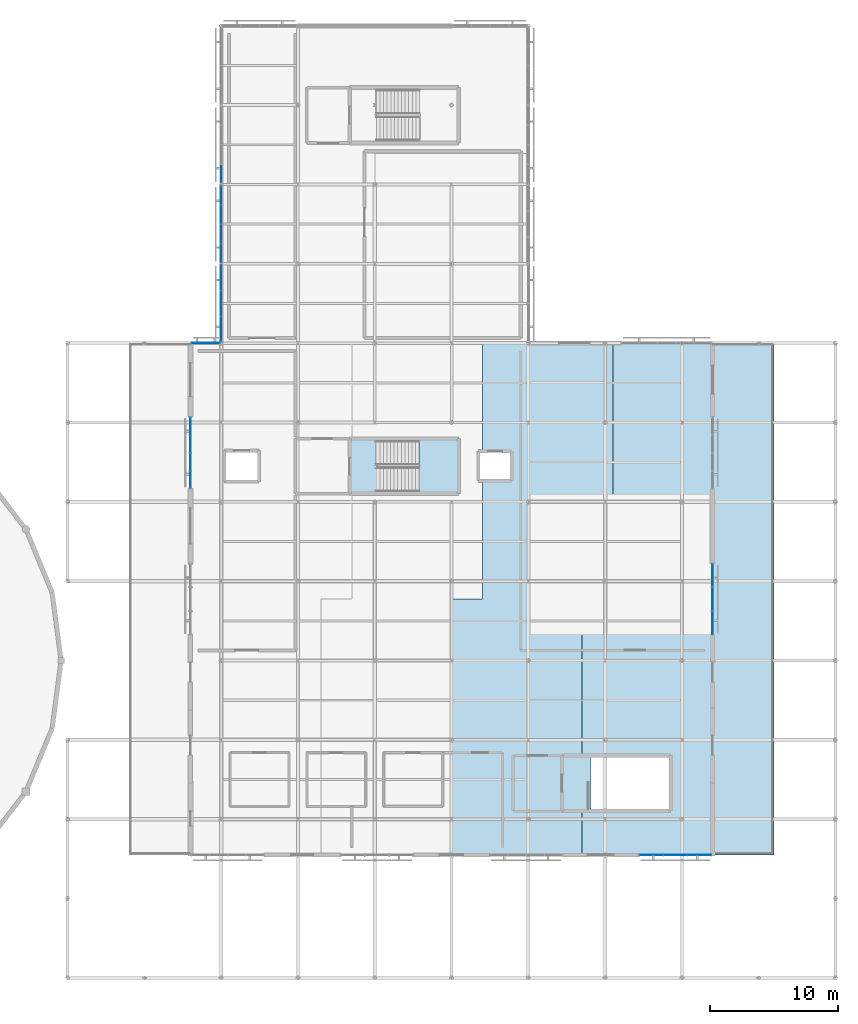
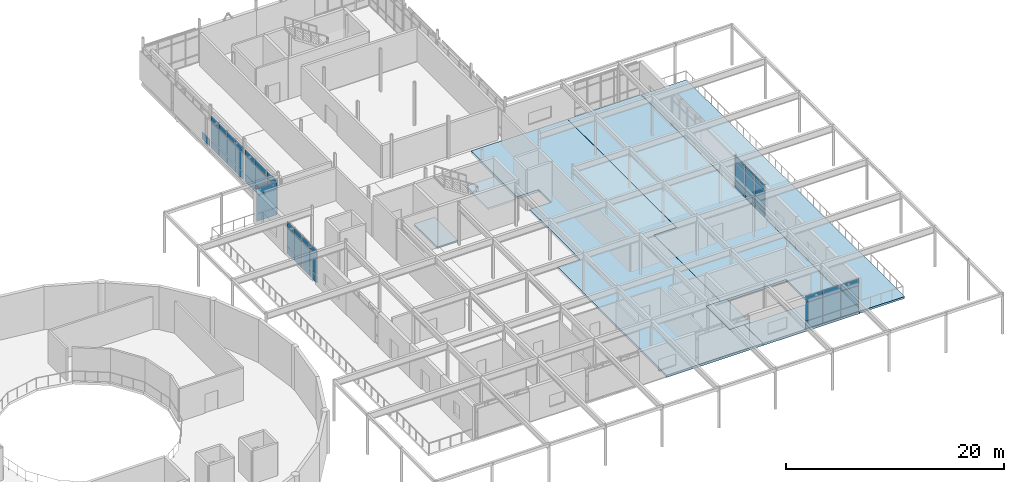
# One storey, part 37 of 48: 55 plates, 6 slabs, 8 elements without a shape of their own.
"""IFC4 building model written with IfcOpenShell, lengths in metres."""

from ifc_helpers import new_model, si_unit, direction, frame, origin, origin_2d, place, context, subcontext, project, spatial, polyline, rectangle, outline, extrude, material, layer, layer_set, type_object, element, aggregate, save


model = new_model("IFC4")

# Units and contexts
model_context = context("Model", 3, precision=1e-05, world=origin(), true_north=direction((0.0, 1.0)))
body_context = subcontext(model_context, "Body", "Model", "MODEL_VIEW")
ifc_project = project(units=[si_unit("LENGTHUNIT", "METRE"), si_unit("AREAUNIT", "SQUARE_METRE"), si_unit("VOLUMEUNIT", "CUBIC_METRE"), si_unit("PLANEANGLEUNIT", "RADIAN"), si_unit("MASSUNIT", "GRAM", prefix="KILO")], contexts=[model_context])

# Site, building, storey
site_placement = place(None, origin())
site = spatial("IfcSite", under=ifc_project, at=site_placement, CompositionType="ELEMENT")
building_placement = place(site_placement, origin())
building = spatial("IfcBuilding", under=site, at=building_placement, Name="Mirzam Square Science Centre", CompositionType="ELEMENT")
storey_placement = place(building_placement, frame((0.0, 0.0, 20.39990234375)))
storey = spatial("IfcBuildingStorey", under=building, at=storey_placement, Name="L04", CompositionType="ELEMENT", Elevation=20.39990234375)

# Curtain wall, plates
ifc_material_1 = material(Name="Anodised Aluminium and Low-E Solar Glass", Category="aluminium")
ifc_layer_1 = layer(ifc_material_1, 0.159912109375)
ifc_layer_set_1 = layer_set([ifc_layer_1], Name="CW-COURT-B")
curtain_wall_type_1 = type_object("IfcCurtainWallType", Name="CW-COURT-B", PredefinedType="USERDEFINED", material=ifc_layer_set_1)
curtain_wall_1_placement = place(storey_placement, origin())
curtain_wall_1 = element("IfcCurtainWall", 1, at=curtain_wall_1_placement, inside=storey, type_object=curtain_wall_type_1, Name="L04 unitised curtain wall 153", ObjectType="UNITISED CURTAIN WALL", PredefinedType="USERDEFINED")
ifc_material_2 = material(Name="Ceramic-Fritted Courtyard Solar Glass", Category="glass")
ifc_layer_2 = layer(ifc_material_2, 0.02392578125)
ifc_layer_set_2 = layer_set([ifc_layer_2], Name="CWP-GLZ-24")
plate_type_1 = type_object("IfcPlateType", Name="CWP-GLZ-24", PredefinedType="CURTAIN_PANEL", material=ifc_layer_set_2)
plate_1_placement = place(storey_placement, frame((112.800048828125, 86.800048828125, 0.06005859375), z_axis=(0.0, 0.0, 1.0), x_axis=(-1.0, 0.0, 0.0)))
plate_1 = element("IfcPlate", 2, at=plate_1_placement, type_object=plate_type_1, Name="CW-04 panel 1.1", PredefinedType="CURTAIN_PANEL", context=body_context, shape_type="SweptSolid", body=[
    extrude(rectangle(XDim=2.169921875, YDim=0.02392578125, at=origin_2d()), origin(), (0.0, 0.0, 1.0), 0.81005859375),
])
plate_2_placement = place(storey_placement, frame((112.800048828125, 86.800048828125, 0.93017578125), z_axis=(0.0, 0.0, 1.0), x_axis=(-1.0, 0.0, 0.0)))
plate_2 = element("IfcPlate", 3, at=plate_2_placement, type_object=plate_type_1, Name="CW-04 panel 1.2", PredefinedType="CURTAIN_PANEL", context=body_context, shape_type="SweptSolid", body=[
    extrude(rectangle(XDim=2.169921875, YDim=0.02392578125, at=origin_2d()), origin(), (0.0, 0.0, 1.0), 2.0),
])
plate_3_placement = place(storey_placement, frame((112.800048828125, 86.800048828125, 2.990234375), z_axis=(0.0, 0.0, 1.0), x_axis=(-1.0, 0.0, 0.0)))
plate_3 = element("IfcPlate", 4, at=plate_3_placement, type_object=plate_type_1, Name="CW-04 panel 1.3", PredefinedType="CURTAIN_PANEL", context=body_context, shape_type="SweptSolid", body=[
    extrude(rectangle(XDim=2.169921875, YDim=0.02392578125, at=origin_2d()), origin(), (0.0, 0.0, 1.0), 0.7099609375),
])
aggregate(curtain_wall_1, [plate_1, plate_2, plate_3])

curtain_wall_2_placement = place(storey_placement, origin())
curtain_wall_2 = element("IfcCurtainWall", 5, at=curtain_wall_2_placement, inside=storey, type_object=curtain_wall_type_1, Name="L04 unitised curtain wall 154", ObjectType="UNITISED CURTAIN WALL", PredefinedType="USERDEFINED")
plate_4_placement = place(storey_placement, frame((111.60009765625, 80.315185546875, 0.06005859375), z_axis=(0.0, 0.0, 1.0), x_axis=(0.0, -1.0, 0.0)))
plate_4 = element("IfcPlate", 6, at=plate_4_placement, type_object=plate_type_1, Name="CW-04 panel 1.1", PredefinedType="CURTAIN_PANEL", context=body_context, shape_type="SweptSolid", body=[
    extrude(rectangle(XDim=1.31103515625, YDim=0.02392578125, at=origin_2d()), origin(), (0.0, 0.0, 1.0), 0.81005859375),
])
plate_5_placement = place(storey_placement, frame((111.60009765625, 80.315185546875, 0.93017578125), z_axis=(0.0, 0.0, 1.0), x_axis=(0.0, -1.0, 0.0)))
plate_5 = element("IfcPlate", 7, at=plate_5_placement, type_object=plate_type_1, Name="CW-04 panel 1.2", PredefinedType="CURTAIN_PANEL", context=body_context, shape_type="SweptSolid", body=[
    extrude(rectangle(XDim=1.31103515625, YDim=0.02392578125, at=origin_2d()), origin(), (0.0, 0.0, 1.0), 2.0),
])
plate_6_placement = place(storey_placement, frame((111.60009765625, 80.315185546875, 2.990234375), z_axis=(0.0, 0.0, 1.0), x_axis=(0.0, -1.0, 0.0)))
plate_6 = element("IfcPlate", 8, at=plate_6_placement, type_object=plate_type_1, Name="CW-04 panel 1.3", PredefinedType="CURTAIN_PANEL", context=body_context, shape_type="SweptSolid", body=[
    extrude(rectangle(XDim=1.31103515625, YDim=0.02392578125, at=origin_2d()), origin(), (0.0, 0.0, 1.0), 0.7099609375),
])
plate_7_placement = place(storey_placement, frame((111.60009765625, 78.92919921875, 0.06005859375), z_axis=(0.0, 0.0, 1.0), x_axis=(0.0, -1.0, 0.0)))
plate_7 = element("IfcPlate", 9, at=plate_7_placement, type_object=plate_type_1, Name="CW-04 panel 2.1", PredefinedType="CURTAIN_PANEL", context=body_context, shape_type="SweptSolid", body=[
    extrude(rectangle(XDim=1.341064453125, YDim=0.02392578125, at=origin_2d()), origin(), (0.0, 0.0, 1.0), 0.81005859375),
])
plate_8_placement = place(storey_placement, frame((111.60009765625, 78.92919921875, 0.93017578125), z_axis=(0.0, 0.0, 1.0), x_axis=(0.0, -1.0, 0.0)))
plate_8 = element("IfcPlate", 10, at=plate_8_placement, type_object=plate_type_1, Name="CW-04 panel 2.2", PredefinedType="CURTAIN_PANEL", context=body_context, shape_type="SweptSolid", body=[
    extrude(rectangle(XDim=1.341064453125, YDim=0.02392578125, at=origin_2d()), origin(), (0.0, 0.0, 1.0), 2.0),
])
plate_9_placement = place(storey_placement, frame((111.60009765625, 78.92919921875, 2.990234375), z_axis=(0.0, 0.0, 1.0), x_axis=(0.0, -1.0, 0.0)))
plate_9 = element("IfcPlate", 11, at=plate_9_placement, type_object=plate_type_1, Name="CW-04 panel 2.3", PredefinedType="CURTAIN_PANEL", context=body_context, shape_type="SweptSolid", body=[
    extrude(rectangle(XDim=1.341064453125, YDim=0.02392578125, at=origin_2d()), origin(), (0.0, 0.0, 1.0), 0.7099609375),
])
plate_10_placement = place(storey_placement, frame((111.60009765625, 77.528076171875, 0.06005859375), z_axis=(0.0, 0.0, 1.0), x_axis=(0.0, -1.0, 0.0)))
plate_10 = element("IfcPlate", 12, at=plate_10_placement, type_object=plate_type_1, Name="CW-04 panel 3.1", PredefinedType="CURTAIN_PANEL", context=body_context, shape_type="SweptSolid", body=[
    extrude(rectangle(XDim=1.341064453125, YDim=0.02392578125, at=origin_2d()), origin(), (0.0, 0.0, 1.0), 0.81005859375),
])
plate_11_placement = place(storey_placement, frame((111.60009765625, 77.528076171875, 0.93017578125), z_axis=(0.0, 0.0, 1.0), x_axis=(0.0, -1.0, 0.0)))
plate_11 = element("IfcPlate", 13, at=plate_11_placement, type_object=plate_type_1, Name="CW-04 panel 3.2", PredefinedType="CURTAIN_PANEL", context=body_context, shape_type="SweptSolid", body=[
    extrude(rectangle(XDim=1.341064453125, YDim=0.02392578125, at=origin_2d()), origin(), (0.0, 0.0, 1.0), 2.0),
])
plate_12_placement = place(storey_placement, frame((111.60009765625, 77.528076171875, 2.990234375), z_axis=(0.0, 0.0, 1.0), x_axis=(0.0, -1.0, 0.0)))
plate_12 = element("IfcPlate", 14, at=plate_12_placement, type_object=plate_type_1, Name="CW-04 panel 3.3", PredefinedType="CURTAIN_PANEL", context=body_context, shape_type="SweptSolid", body=[
    extrude(rectangle(XDim=1.341064453125, YDim=0.02392578125, at=origin_2d()), origin(), (0.0, 0.0, 1.0), 0.7099609375),
])
plate_13_placement = place(storey_placement, frame((111.60009765625, 76.141845703125, 0.06005859375), z_axis=(0.0, 0.0, 1.0), x_axis=(0.0, -1.0, 0.0)))
plate_13 = element("IfcPlate", 15, at=plate_13_placement, type_object=plate_type_1, Name="CW-04 panel 4.1", PredefinedType="CURTAIN_PANEL", context=body_context, shape_type="SweptSolid", body=[
    extrude(rectangle(XDim=1.31103515625, YDim=0.02392578125, at=origin_2d()), origin(), (0.0, 0.0, 1.0), 0.81005859375),
])
plate_14_placement = place(storey_placement, frame((111.60009765625, 76.141845703125, 0.93017578125), z_axis=(0.0, 0.0, 1.0), x_axis=(0.0, -1.0, 0.0)))
plate_14 = element("IfcPlate", 16, at=plate_14_placement, type_object=plate_type_1, Name="CW-04 panel 4.2", PredefinedType="CURTAIN_PANEL", context=body_context, shape_type="SweptSolid", body=[
    extrude(rectangle(XDim=1.31103515625, YDim=0.02392578125, at=origin_2d()), origin(), (0.0, 0.0, 1.0), 2.0),
])
plate_15_placement = place(storey_placement, frame((111.60009765625, 76.141845703125, 2.990234375), z_axis=(0.0, 0.0, 1.0), x_axis=(0.0, -1.0, 0.0)))
plate_15 = element("IfcPlate", 17, at=plate_15_placement, type_object=plate_type_1, Name="CW-04 panel 4.3", PredefinedType="CURTAIN_PANEL", context=body_context, shape_type="SweptSolid", body=[
    extrude(rectangle(XDim=1.31103515625, YDim=0.02392578125, at=origin_2d()), origin(), (0.0, 0.0, 1.0), 0.7099609375),
])
aggregate(curtain_wall_2, [plate_4, plate_5, plate_6, plate_7, plate_8, plate_9, plate_10, plate_11, plate_12, plate_13, plate_14, plate_15])

# Curtain wall, plate
curtain_wall_3_placement = place(storey_placement, origin())
curtain_wall_3 = element("IfcCurtainWall", 18, at=curtain_wall_3_placement, inside=storey, type_object=curtain_wall_type_1, Name="L04 unitised curtain wall 162", ObjectType="UNITISED CURTAIN WALL", PredefinedType="USERDEFINED")
plate_16_placement = place(storey_placement, frame((114.0, 100.03125, 0.06005859375), z_axis=(0.0, 0.0, 1.0), x_axis=(0.0, -1.0, 0.0)))
plate_16 = element("IfcPlate", 19, at=plate_16_placement, type_object=plate_type_1, Name="CW-04 panel 4.1", PredefinedType="CURTAIN_PANEL", context=body_context, shape_type="SweptSolid", body=[
    extrude(rectangle(XDim=1.4326171875, YDim=0.02392578125, at=origin_2d()), origin(), (0.0, 0.0, 1.0), 0.81005859375),
])
aggregate(curtain_wall_3, [plate_16])

# Curtain wall, plates
ifc_layer_3 = layer(ifc_material_1, 0.239990234375)
ifc_layer_set_3 = layer_set([ifc_layer_3], Name="CW-EAST-B")
curtain_wall_type_2 = type_object("IfcCurtainWallType", Name="CW-EAST-B", PredefinedType="USERDEFINED", material=ifc_layer_set_3)
curtain_wall_4_placement = place(storey_placement, origin())
curtain_wall_4 = element("IfcCurtainWall", 20, at=curtain_wall_4_placement, inside=storey, type_object=curtain_wall_type_2, Name="L04 unitised curtain wall 150", ObjectType="UNITISED CURTAIN WALL", PredefinedType="USERDEFINED")
ifc_material_3 = material(Name="Double-Silver Low-E Insulated Solar Glass", Category="glass")
ifc_layer_4 = layer(ifc_material_3, 0.028076171875)
ifc_layer_set_4 = layer_set([ifc_layer_4], Name="CWP-GLZ-28")
plate_type_2 = type_object("IfcPlateType", Name="CWP-GLZ-28", PredefinedType="CURTAIN_PANEL", material=ifc_layer_set_4)
plate_17_placement = place(storey_placement, frame((152.39990234375, 64.95068359375, 0.074951171875), z_axis=(0.0, 0.0, 1.0), x_axis=(0.0, 1.0, 0.0)))
plate_17 = element("IfcPlate", 21, at=plate_17_placement, type_object=plate_type_2, Name="CW-06 panel 1.1", PredefinedType="CURTAIN_PANEL", context=body_context, shape_type="SweptSolid", body=[
    extrude(rectangle(XDim=1.755615234375, YDim=0.028076171875, at=origin_2d()), origin(), (0.0, 0.0, 1.0), 0.78759765625),
])
plate_18_placement = place(storey_placement, frame((152.39990234375, 64.95068359375, 0.9375), z_axis=(0.0, 0.0, 1.0), x_axis=(0.0, 1.0, 0.0)))
plate_18 = element("IfcPlate", 22, at=plate_18_placement, type_object=plate_type_2, Name="CW-06 panel 1.2", PredefinedType="CURTAIN_PANEL", context=body_context, shape_type="SweptSolid", body=[
    extrude(rectangle(XDim=1.755615234375, YDim=0.028076171875, at=origin_2d()), origin(), (0.0, 0.0, 1.0), 1.985107421875),
])
plate_19_placement = place(storey_placement, frame((152.39990234375, 64.95068359375, 2.99755859375), z_axis=(0.0, 0.0, 1.0), x_axis=(0.0, 1.0, 0.0)))
plate_19 = element("IfcPlate", 23, at=plate_19_placement, type_object=plate_type_2, Name="CW-06 panel 1.3", PredefinedType="CURTAIN_PANEL", context=body_context, shape_type="SweptSolid", body=[
    extrude(rectangle(XDim=1.755615234375, YDim=0.028076171875, at=origin_2d()), origin(), (0.0, 0.0, 1.0), 0.6875),
])
plate_20_placement = place(storey_placement, frame((152.39990234375, 66.800048828125, 0.074951171875), z_axis=(0.0, 0.0, 1.0), x_axis=(0.0, 1.0, 0.0)))
plate_20 = element("IfcPlate", 24, at=plate_20_placement, type_object=plate_type_2, Name="CW-06 panel 2.1", PredefinedType="CURTAIN_PANEL", context=body_context, shape_type="SweptSolid", body=[
    extrude(rectangle(XDim=1.79296875, YDim=0.028076171875, at=origin_2d()), origin(), (0.0, 0.0, 1.0), 0.78759765625),
])
plate_21_placement = place(storey_placement, frame((152.39990234375, 66.800048828125, 0.9375), z_axis=(0.0, 0.0, 1.0), x_axis=(0.0, 1.0, 0.0)))
plate_21 = element("IfcPlate", 25, at=plate_21_placement, type_object=plate_type_2, Name="CW-06 panel 2.2", PredefinedType="CURTAIN_PANEL", context=body_context, shape_type="SweptSolid", body=[
    extrude(rectangle(XDim=1.79296875, YDim=0.028076171875, at=origin_2d()), origin(), (0.0, 0.0, 1.0), 1.985107421875),
])
plate_22_placement = place(storey_placement, frame((152.39990234375, 66.800048828125, 2.99755859375), z_axis=(0.0, 0.0, 1.0), x_axis=(0.0, 1.0, 0.0)))
plate_22 = element("IfcPlate", 26, at=plate_22_placement, type_object=plate_type_2, Name="CW-06 panel 2.3", PredefinedType="CURTAIN_PANEL", context=body_context, shape_type="SweptSolid", body=[
    extrude(rectangle(XDim=1.79296875, YDim=0.028076171875, at=origin_2d()), origin(), (0.0, 0.0, 1.0), 0.6875),
])
plate_23_placement = place(storey_placement, frame((152.39990234375, 68.6494140625, 0.074951171875), z_axis=(0.0, 0.0, 1.0), x_axis=(0.0, 1.0, 0.0)))
plate_23 = element("IfcPlate", 27, at=plate_23_placement, type_object=plate_type_2, Name="CW-06 panel 3.1", PredefinedType="CURTAIN_PANEL", context=body_context, shape_type="SweptSolid", body=[
    extrude(rectangle(XDim=1.755615234375, YDim=0.028076171875, at=origin_2d()), origin(), (0.0, 0.0, 1.0), 0.78759765625),
])
plate_24_placement = place(storey_placement, frame((152.39990234375, 68.6494140625, 0.9375), z_axis=(0.0, 0.0, 1.0), x_axis=(0.0, 1.0, 0.0)))
plate_24 = element("IfcPlate", 28, at=plate_24_placement, type_object=plate_type_2, Name="CW-06 panel 3.2", PredefinedType="CURTAIN_PANEL", context=body_context, shape_type="SweptSolid", body=[
    extrude(rectangle(XDim=1.755615234375, YDim=0.028076171875, at=origin_2d()), origin(), (0.0, 0.0, 1.0), 1.985107421875),
])
plate_25_placement = place(storey_placement, frame((152.39990234375, 68.6494140625, 2.99755859375), z_axis=(0.0, 0.0, 1.0), x_axis=(0.0, 1.0, 0.0)))
plate_25 = element("IfcPlate", 29, at=plate_25_placement, type_object=plate_type_2, Name="CW-06 panel 3.3", PredefinedType="CURTAIN_PANEL", context=body_context, shape_type="SweptSolid", body=[
    extrude(rectangle(XDim=1.755615234375, YDim=0.028076171875, at=origin_2d()), origin(), (0.0, 0.0, 1.0), 0.6875),
])
aggregate(curtain_wall_4, [plate_17, plate_18, plate_19, plate_20, plate_21, plate_22, plate_23, plate_24, plate_25])

ifc_layer_5 = layer(ifc_material_1, 0.199951171875)
ifc_layer_set_5 = layer_set([ifc_layer_5], Name="CW-PARK-B")
curtain_wall_type_3 = type_object("IfcCurtainWallType", Name="CW-PARK-B", PredefinedType="USERDEFINED", material=ifc_layer_set_5)
curtain_wall_5_placement = place(storey_placement, origin())
curtain_wall_5 = element("IfcCurtainWall", 30, at=curtain_wall_5_placement, inside=storey, type_object=curtain_wall_type_3, Name="L04 unitised curtain wall 158", ObjectType="UNITISED CURTAIN WALL", PredefinedType="USERDEFINED")
ifc_material_4 = material(Name="Triple-Glazed Acoustic Low-E Solar Glass", Category="glass")
ifc_layer_6 = layer(ifc_material_4, 0.031982421875)
ifc_layer_set_6 = layer_set([ifc_layer_6], Name="CWP-GLZ-32")
plate_type_3 = type_object("IfcPlateType", Name="CWP-GLZ-32", PredefinedType="CURTAIN_PANEL", material=ifc_layer_set_6)
plate_26_placement = place(storey_placement, frame((114.0, 91.913818359375, 0.06494140625), z_axis=(0.0, 0.0, 1.0), x_axis=(0.0, -1.0, 0.0)))
plate_26 = element("IfcPlate", 31, at=plate_26_placement, type_object=plate_type_3, Name="CW-02 panel 1.1", PredefinedType="CURTAIN_PANEL", context=body_context, shape_type="SweptSolid", body=[
    extrude(rectangle(XDim=1.9326171875, YDim=0.031982421875, at=origin_2d()), origin(), (0.0, 0.0, 1.0), 0.802490234375),
])
plate_27_placement = place(storey_placement, frame((114.0, 91.913818359375, 0.9326171875), z_axis=(0.0, 0.0, 1.0), x_axis=(0.0, -1.0, 0.0)))
plate_27 = element("IfcPlate", 32, at=plate_27_placement, type_object=plate_type_3, Name="CW-02 panel 1.2", PredefinedType="CURTAIN_PANEL", context=body_context, shape_type="SweptSolid", body=[
    extrude(rectangle(XDim=1.9326171875, YDim=0.031982421875, at=origin_2d()), origin(), (0.0, 0.0, 1.0), 1.9951171875),
])
plate_28_placement = place(storey_placement, frame((114.0, 91.913818359375, 2.99267578125), z_axis=(0.0, 0.0, 1.0), x_axis=(0.0, -1.0, 0.0)))
plate_28 = element("IfcPlate", 33, at=plate_28_placement, type_object=plate_type_3, Name="CW-02 panel 1.3", PredefinedType="CURTAIN_PANEL", context=body_context, shape_type="SweptSolid", body=[
    extrude(rectangle(XDim=1.9326171875, YDim=0.031982421875, at=origin_2d()), origin(), (0.0, 0.0, 1.0), 0.702392578125),
])
plate_29_placement = place(storey_placement, frame((114.0, 89.89990234375, 0.06494140625), z_axis=(0.0, 0.0, 1.0), x_axis=(0.0, -1.0, 0.0)))
plate_29 = element("IfcPlate", 34, at=plate_29_placement, type_object=plate_type_3, Name="CW-02 panel 2.1", PredefinedType="CURTAIN_PANEL", context=body_context, shape_type="SweptSolid", body=[
    extrude(rectangle(XDim=1.965087890625, YDim=0.031982421875, at=origin_2d()), origin(), (0.0, 0.0, 1.0), 0.802490234375),
])
plate_30_placement = place(storey_placement, frame((114.0, 89.89990234375, 0.9326171875), z_axis=(0.0, 0.0, 1.0), x_axis=(0.0, -1.0, 0.0)))
plate_30 = element("IfcPlate", 35, at=plate_30_placement, type_object=plate_type_3, Name="CW-02 panel 2.2", PredefinedType="CURTAIN_PANEL", context=body_context, shape_type="SweptSolid", body=[
    extrude(rectangle(XDim=1.965087890625, YDim=0.031982421875, at=origin_2d()), origin(), (0.0, 0.0, 1.0), 1.9951171875),
])
plate_31_placement = place(storey_placement, frame((114.0, 89.89990234375, 2.99267578125), z_axis=(0.0, 0.0, 1.0), x_axis=(0.0, -1.0, 0.0)))
plate_31 = element("IfcPlate", 36, at=plate_31_placement, type_object=plate_type_3, Name="CW-02 panel 2.3", PredefinedType="CURTAIN_PANEL", context=body_context, shape_type="SweptSolid", body=[
    extrude(rectangle(XDim=1.965087890625, YDim=0.031982421875, at=origin_2d()), origin(), (0.0, 0.0, 1.0), 0.702392578125),
])
plate_32_placement = place(storey_placement, frame((114.0, 87.88623046875, 0.06494140625), z_axis=(0.0, 0.0, 1.0), x_axis=(0.0, -1.0, 0.0)))
plate_32 = element("IfcPlate", 37, at=plate_32_placement, type_object=plate_type_3, Name="CW-02 panel 3.1", PredefinedType="CURTAIN_PANEL", context=body_context, shape_type="SweptSolid", body=[
    extrude(rectangle(XDim=1.9326171875, YDim=0.031982421875, at=origin_2d()), origin(), (0.0, 0.0, 1.0), 0.802490234375),
])
plate_33_placement = place(storey_placement, frame((114.0, 87.88623046875, 0.9326171875), z_axis=(0.0, 0.0, 1.0), x_axis=(0.0, -1.0, 0.0)))
plate_33 = element("IfcPlate", 38, at=plate_33_placement, type_object=plate_type_3, Name="CW-02 panel 3.2", PredefinedType="CURTAIN_PANEL", context=body_context, shape_type="SweptSolid", body=[
    extrude(rectangle(XDim=1.9326171875, YDim=0.031982421875, at=origin_2d()), origin(), (0.0, 0.0, 1.0), 1.9951171875),
])
plate_34_placement = place(storey_placement, frame((114.0, 87.88623046875, 2.99267578125), z_axis=(0.0, 0.0, 1.0), x_axis=(0.0, -1.0, 0.0)))
plate_34 = element("IfcPlate", 39, at=plate_34_placement, type_object=plate_type_3, Name="CW-02 panel 3.3", PredefinedType="CURTAIN_PANEL", context=body_context, shape_type="SweptSolid", body=[
    extrude(rectangle(XDim=1.9326171875, YDim=0.031982421875, at=origin_2d()), origin(), (0.0, 0.0, 1.0), 0.702392578125),
])
aggregate(curtain_wall_5, [plate_26, plate_27, plate_28, plate_29, plate_30, plate_31, plate_32, plate_33, plate_34])

ifc_layer_7 = layer(ifc_material_1, 0.159912109375)
ifc_layer_set_7 = layer_set([ifc_layer_7], Name="CW-COURT-A")
curtain_wall_type_4 = type_object("IfcCurtainWallType", Name="CW-COURT-A", PredefinedType="USERDEFINED", material=ifc_layer_set_7)
curtain_wall_6_placement = place(storey_placement, origin())
curtain_wall_6 = element("IfcCurtainWall", 40, at=curtain_wall_6_placement, inside=storey, type_object=curtain_wall_type_4, Name="L04 unitised curtain wall 160", ObjectType="UNITISED CURTAIN WALL", PredefinedType="USERDEFINED")
ifc_material_5 = material(Name="Laminated Low-Iron Observatory Solar Glass", Category="glass")
ifc_layer_8 = layer(ifc_material_5, 0.035888671875)
ifc_layer_set_8 = layer_set([ifc_layer_8], Name="CWP-GLZ-36")
plate_type_4 = type_object("IfcPlateType", Name="CWP-GLZ-36", PredefinedType="CURTAIN_PANEL", material=ifc_layer_set_8)
plate_35_placement = place(storey_placement, frame((114.0, 98.364990234375, 0.074951171875), z_axis=(0.0, 0.0, 1.0), x_axis=(0.0, -1.0, 0.0)))
plate_35 = element("IfcPlate", 41, at=plate_35_placement, type_object=plate_type_4, Name="CW-03 panel 1.1", PredefinedType="CURTAIN_PANEL", context=body_context, shape_type="SweptSolid", body=[
    extrude(rectangle(XDim=1.409912109375, YDim=0.035888671875, at=origin_2d()), origin(), (0.0, 0.0, 1.0), 0.78759765625),
])
plate_36_placement = place(storey_placement, frame((114.0, 98.364990234375, 0.9375), z_axis=(0.0, 0.0, 1.0), x_axis=(0.0, -1.0, 0.0)))
plate_36 = element("IfcPlate", 42, at=plate_36_placement, type_object=plate_type_4, Name="CW-03 panel 1.2", PredefinedType="CURTAIN_PANEL", context=body_context, shape_type="SweptSolid", body=[
    extrude(rectangle(XDim=1.409912109375, YDim=0.035888671875, at=origin_2d()), origin(), (0.0, 0.0, 1.0), 1.985107421875),
])
plate_37_placement = place(storey_placement, frame((114.0, 98.364990234375, 2.99755859375), z_axis=(0.0, 0.0, 1.0), x_axis=(0.0, -1.0, 0.0)))
plate_37 = element("IfcPlate", 43, at=plate_37_placement, type_object=plate_type_4, Name="CW-03 panel 1.3", PredefinedType="CURTAIN_PANEL", context=body_context, shape_type="SweptSolid", body=[
    extrude(rectangle(XDim=1.409912109375, YDim=0.035888671875, at=origin_2d()), origin(), (0.0, 0.0, 1.0), 0.6875),
])
plate_38_placement = place(storey_placement, frame((114.0, 96.861328125, 0.074951171875), z_axis=(0.0, 0.0, 1.0), x_axis=(0.0, -1.0, 0.0)))
plate_38 = element("IfcPlate", 44, at=plate_38_placement, type_object=plate_type_4, Name="CW-03 panel 2.1", PredefinedType="CURTAIN_PANEL", context=body_context, shape_type="SweptSolid", body=[
    extrude(rectangle(XDim=1.447509765625, YDim=0.035888671875, at=origin_2d()), origin(), (0.0, 0.0, 1.0), 0.78759765625),
])
plate_39_placement = place(storey_placement, frame((114.0, 96.861328125, 0.9375), z_axis=(0.0, 0.0, 1.0), x_axis=(0.0, -1.0, 0.0)))
plate_39 = element("IfcPlate", 45, at=plate_39_placement, type_object=plate_type_4, Name="CW-03 panel 2.2", PredefinedType="CURTAIN_PANEL", context=body_context, shape_type="SweptSolid", body=[
    extrude(rectangle(XDim=1.447509765625, YDim=0.035888671875, at=origin_2d()), origin(), (0.0, 0.0, 1.0), 1.985107421875),
])
plate_40_placement = place(storey_placement, frame((114.0, 96.861328125, 2.99755859375), z_axis=(0.0, 0.0, 1.0), x_axis=(0.0, -1.0, 0.0)))
plate_40 = element("IfcPlate", 46, at=plate_40_placement, type_object=plate_type_4, Name="CW-03 panel 2.3", PredefinedType="CURTAIN_PANEL", context=body_context, shape_type="SweptSolid", body=[
    extrude(rectangle(XDim=1.447509765625, YDim=0.035888671875, at=origin_2d()), origin(), (0.0, 0.0, 1.0), 0.6875),
])
plate_41_placement = place(storey_placement, frame((114.0, 95.3388671875, 0.074951171875), z_axis=(0.0, 0.0, 1.0), x_axis=(0.0, -1.0, 0.0)))
plate_41 = element("IfcPlate", 47, at=plate_41_placement, type_object=plate_type_4, Name="CW-03 panel 3.1", PredefinedType="CURTAIN_PANEL", context=body_context, shape_type="SweptSolid", body=[
    extrude(rectangle(XDim=1.447509765625, YDim=0.035888671875, at=origin_2d()), origin(), (0.0, 0.0, 1.0), 0.78759765625),
])
plate_42_placement = place(storey_placement, frame((114.0, 95.3388671875, 0.9375), z_axis=(0.0, 0.0, 1.0), x_axis=(0.0, -1.0, 0.0)))
plate_42 = element("IfcPlate", 48, at=plate_42_placement, type_object=plate_type_4, Name="CW-03 panel 3.2", PredefinedType="CURTAIN_PANEL", context=body_context, shape_type="SweptSolid", body=[
    extrude(rectangle(XDim=1.447509765625, YDim=0.035888671875, at=origin_2d()), origin(), (0.0, 0.0, 1.0), 1.985107421875),
])
plate_43_placement = place(storey_placement, frame((114.0, 95.3388671875, 2.99755859375), z_axis=(0.0, 0.0, 1.0), x_axis=(0.0, -1.0, 0.0)))
plate_43 = element("IfcPlate", 49, at=plate_43_placement, type_object=plate_type_4, Name="CW-03 panel 3.3", PredefinedType="CURTAIN_PANEL", context=body_context, shape_type="SweptSolid", body=[
    extrude(rectangle(XDim=1.447509765625, YDim=0.035888671875, at=origin_2d()), origin(), (0.0, 0.0, 1.0), 0.6875),
])
plate_44_placement = place(storey_placement, frame((114.0, 93.8349609375, 0.074951171875), z_axis=(0.0, 0.0, 1.0), x_axis=(0.0, -1.0, 0.0)))
plate_44 = element("IfcPlate", 50, at=plate_44_placement, type_object=plate_type_4, Name="CW-03 panel 4.1", PredefinedType="CURTAIN_PANEL", context=body_context, shape_type="SweptSolid", body=[
    extrude(rectangle(XDim=1.409912109375, YDim=0.035888671875, at=origin_2d()), origin(), (0.0, 0.0, 1.0), 0.78759765625),
])
plate_45_placement = place(storey_placement, frame((114.0, 93.8349609375, 0.9375), z_axis=(0.0, 0.0, 1.0), x_axis=(0.0, -1.0, 0.0)))
plate_45 = element("IfcPlate", 51, at=plate_45_placement, type_object=plate_type_4, Name="CW-03 panel 4.2", PredefinedType="CURTAIN_PANEL", context=body_context, shape_type="SweptSolid", body=[
    extrude(rectangle(XDim=1.409912109375, YDim=0.035888671875, at=origin_2d()), origin(), (0.0, 0.0, 1.0), 1.985107421875),
])
plate_46_placement = place(storey_placement, frame((114.0, 93.8349609375, 2.99755859375), z_axis=(0.0, 0.0, 1.0), x_axis=(0.0, -1.0, 0.0)))
plate_46 = element("IfcPlate", 52, at=plate_46_placement, type_object=plate_type_4, Name="CW-03 panel 4.3", PredefinedType="CURTAIN_PANEL", context=body_context, shape_type="SweptSolid", body=[
    extrude(rectangle(XDim=1.409912109375, YDim=0.035888671875, at=origin_2d()), origin(), (0.0, 0.0, 1.0), 0.6875),
])
aggregate(curtain_wall_6, [plate_35, plate_36, plate_37, plate_38, plate_39, plate_40, plate_41, plate_42, plate_43, plate_44, plate_45, plate_46])

curtain_wall_7_placement = place(storey_placement, origin())
curtain_wall_7 = element("IfcCurtainWall", 53, at=curtain_wall_7_placement, inside=storey, type_object=curtain_wall_type_3, Name="L04 unitised curtain wall 149", ObjectType="UNITISED CURTAIN WALL", PredefinedType="USERDEFINED")
ifc_material_6 = material(Name="Acoustic Laminated Solar Spandrel Glass", Category="glass")
ifc_layer_9 = layer(ifc_material_6, 0.0400390625)
ifc_layer_set_9 = layer_set([ifc_layer_9], Name="CWP-GLZ-40")
plate_type_5 = type_object("IfcPlateType", Name="CWP-GLZ-40", PredefinedType="CURTAIN_PANEL", material=ifc_layer_set_9)
plate_47_placement = place(storey_placement, frame((147.594482421875, 46.800048828125, 0.06005859375), z_axis=(0.0, 0.0, 1.0), x_axis=(1.0, 0.0, 0.0)))
plate_47 = element("IfcPlate", 54, at=plate_47_placement, type_object=plate_type_5, Name="CW-02 panel 1.1", PredefinedType="CURTAIN_PANEL", context=body_context, shape_type="SweptSolid", body=[
    extrude(rectangle(XDim=1.816162109375, YDim=0.0400390625, at=origin_2d()), origin(), (0.0, 0.0, 1.0), 0.81005859375),
])
plate_48_placement = place(storey_placement, frame((147.594482421875, 46.800048828125, 0.93017578125), z_axis=(0.0, 0.0, 1.0), x_axis=(1.0, 0.0, 0.0)))
plate_48 = element("IfcPlate", 55, at=plate_48_placement, type_object=plate_type_5, Name="CW-02 panel 1.2", PredefinedType="CURTAIN_PANEL", context=body_context, shape_type="SweptSolid", body=[
    extrude(rectangle(XDim=1.816162109375, YDim=0.0400390625, at=origin_2d()), origin(), (0.0, 0.0, 1.0), 2.0),
])
plate_49_placement = place(storey_placement, frame((147.594482421875, 46.800048828125, 2.990234375), z_axis=(0.0, 0.0, 1.0), x_axis=(1.0, 0.0, 0.0)))
plate_49 = element("IfcPlate", 56, at=plate_49_placement, type_object=plate_type_5, Name="CW-02 panel 1.3", PredefinedType="CURTAIN_PANEL", context=body_context, shape_type="SweptSolid", body=[
    extrude(rectangle(XDim=1.816162109375, YDim=0.0400390625, at=origin_2d()), origin(), (0.0, 0.0, 1.0), 0.7099609375),
])
plate_50_placement = place(storey_placement, frame((149.485595703125, 46.800048828125, 0.06005859375), z_axis=(0.0, 0.0, 1.0), x_axis=(1.0, 0.0, 0.0)))
plate_50 = element("IfcPlate", 57, at=plate_50_placement, type_object=plate_type_5, Name="CW-02 panel 2.1", PredefinedType="CURTAIN_PANEL", context=body_context, shape_type="SweptSolid", body=[
    extrude(rectangle(XDim=1.84619140625, YDim=0.0400390625, at=origin_2d()), origin(), (0.0, 0.0, 1.0), 0.81005859375),
])
plate_51_placement = place(storey_placement, frame((149.485595703125, 46.800048828125, 0.93017578125), z_axis=(0.0, 0.0, 1.0), x_axis=(1.0, 0.0, 0.0)))
plate_51 = element("IfcPlate", 58, at=plate_51_placement, type_object=plate_type_5, Name="CW-02 panel 2.2", PredefinedType="CURTAIN_PANEL", context=body_context, shape_type="SweptSolid", body=[
    extrude(rectangle(XDim=1.84619140625, YDim=0.0400390625, at=origin_2d()), origin(), (0.0, 0.0, 1.0), 2.0),
])
plate_52_placement = place(storey_placement, frame((149.485595703125, 46.800048828125, 2.990234375), z_axis=(0.0, 0.0, 1.0), x_axis=(1.0, 0.0, 0.0)))
plate_52 = element("IfcPlate", 59, at=plate_52_placement, type_object=plate_type_5, Name="CW-02 panel 2.3", PredefinedType="CURTAIN_PANEL", context=body_context, shape_type="SweptSolid", body=[
    extrude(rectangle(XDim=1.84619140625, YDim=0.0400390625, at=origin_2d()), origin(), (0.0, 0.0, 1.0), 0.7099609375),
])
plate_53_placement = place(storey_placement, frame((151.376953125, 46.800048828125, 0.06005859375), z_axis=(0.0, 0.0, 1.0), x_axis=(1.0, 0.0, 0.0)))
plate_53 = element("IfcPlate", 60, at=plate_53_placement, type_object=plate_type_5, Name="CW-02 panel 3.1", PredefinedType="CURTAIN_PANEL", context=body_context, shape_type="SweptSolid", body=[
    extrude(rectangle(XDim=1.816162109375, YDim=0.0400390625, at=origin_2d()), origin(), (0.0, 0.0, 1.0), 0.81005859375),
])
plate_54_placement = place(storey_placement, frame((151.376953125, 46.800048828125, 0.93017578125), z_axis=(0.0, 0.0, 1.0), x_axis=(1.0, 0.0, 0.0)))
plate_54 = element("IfcPlate", 61, at=plate_54_placement, type_object=plate_type_5, Name="CW-02 panel 3.2", PredefinedType="CURTAIN_PANEL", context=body_context, shape_type="SweptSolid", body=[
    extrude(rectangle(XDim=1.816162109375, YDim=0.0400390625, at=origin_2d()), origin(), (0.0, 0.0, 1.0), 2.0),
])
plate_55_placement = place(storey_placement, frame((151.376953125, 46.800048828125, 2.990234375), z_axis=(0.0, 0.0, 1.0), x_axis=(1.0, 0.0, 0.0)))
plate_55 = element("IfcPlate", 62, at=plate_55_placement, type_object=plate_type_5, Name="CW-02 panel 3.3", PredefinedType="CURTAIN_PANEL", context=body_context, shape_type="SweptSolid", body=[
    extrude(rectangle(XDim=1.816162109375, YDim=0.0400390625, at=origin_2d()), origin(), (0.0, 0.0, 1.0), 0.7099609375),
])
aggregate(curtain_wall_7, [plate_47, plate_48, plate_49, plate_50, plate_51, plate_52, plate_53, plate_54, plate_55])

# Slabs
ifc_material_7 = material(Name="Concrete C40/50", Category="concrete")
ifc_layer_10 = layer(ifc_material_7, 0.25)
ifc_layer_set_10 = layer_set([ifc_layer_10], Name="SL-LAB-250")
slab_type_1 = type_object("IfcSlabType", Name="SL-LAB-250", PredefinedType="FLOOR", material=ifc_layer_set_10)
slab_1_placement = place(storey_placement, frame((0.0, 0.0, -0.25)))
element("IfcSlab", 63, at=slab_1_placement, inside=storey, type_object=slab_type_1, Name="L04 east 3 slab", PredefinedType="FLOOR", context=body_context, shape_type="SweptSolid", body=[
    extrude(outline(polyline([(132.0048828125, 46.800048828125), (132.0048828125, 66.794921875), (134.405029296875, 66.794921875), (134.405029296875, 76.050048828125), (136.699951171875, 76.050048828125), (136.699951171875, 78.35009765625), (134.405029296875, 78.35009765625), (134.405029296875, 86.800048828125), (144.60009765625, 86.800048828125), (144.60009765625, 66.800048828125), (142.199951171875, 66.800048828125), (142.199951171875, 54.570068359375), (140.639892578125, 54.570068359375), (140.639892578125, 50.239990234375), (142.199951171875, 50.239990234375), (142.199951171875, 46.800048828125), (132.0048828125, 46.800048828125)])), origin(), (0.0, 0.0, 1.0), 0.25),
])
slab_2_placement = place(storey_placement, frame((0.0, 0.0, -0.25)))
element("IfcSlab", 64, at=slab_2_placement, inside=storey, type_object=slab_type_1, Name="L04 east 4 slab", PredefinedType="FLOOR", context=body_context, shape_type="SweptSolid", body=[
    extrude(outline(polyline([(152.39990234375, 86.800048828125), (152.39990234375, 46.800048828125), (142.205078125, 46.800048828125), (142.205078125, 50.239990234375), (149.159912109375, 50.239990234375), (149.159912109375, 54.570068359375), (142.205078125, 54.570068359375), (142.205078125, 66.794921875), (144.60498046875, 66.794921875), (144.60498046875, 86.800048828125), (152.39990234375, 86.800048828125)])), origin(), (0.0, 0.0, 1.0), 0.25),
])

# Stair, slab
stair_type = type_object("IfcStairType", Name="ST-CORE-4-480", PredefinedType="HALF_TURN_STAIR", material=ifc_material_7)
stair_placement = place(storey_placement, origin())
stair = element("IfcStair", 65, at=stair_placement, inside=storey, type_object=stair_type, Name="L04 ST-04", PredefinedType="HALF_TURN_STAIR")
ifc_layer_11 = layer(ifc_material_7, 0.199951171875)
ifc_layer_set_11 = layer_set([ifc_layer_11], Name="SL-LANDING-200")
slab_type_2 = type_object("IfcSlabType", Name="SL-LANDING-200", PredefinedType="LANDING", material=ifc_layer_set_11)
slab_3_placement = place(storey_placement, frame((0.0, 0.0, 2.2001953125)))
slab_3 = element("IfcSlab", 66, at=slab_3_placement, type_object=slab_type_2, Name="ST-04 landing 1", PredefinedType="LANDING", context=body_context, shape_type="SweptSolid", body=[
    extrude(outline(polyline([(129.469970703125, 75.14990234375), (132.449951171875, 75.14990234375), (132.449951171875, 79.219970703125), (129.469970703125, 79.219970703125), (129.469970703125, 75.14990234375)])), origin(), (0.0, 0.0, 1.0), 0.199951171875),
])
aggregate(stair, [slab_3])

# Slabs
slab_4_placement = place(storey_placement, frame((0.0, 0.0, -0.199951171875)))
element("IfcSlab", 67, at=slab_4_placement, inside=storey, type_object=slab_type_2, Name="L04 CORE-4 floor landing", PredefinedType="LANDING", context=body_context, shape_type="SweptSolid", body=[
    extrude(outline(polyline([(126.260009765625, 75.044921875), (124.044921875, 75.044921875), (124.044921875, 79.324951171875), (126.260009765625, 79.324951171875), (126.260009765625, 75.044921875)])), origin(), (0.0, 0.0, 1.0), 0.199951171875),
])
slab_5_placement = place(storey_placement, frame((0.0, 0.0, -0.199951171875)))
element("IfcSlab", 68, at=slab_5_placement, inside=storey, type_object=slab_type_2, Name="L04 CORE-5 floor landing", PredefinedType="LANDING", context=body_context, shape_type="SweptSolid", body=[
    extrude(outline(polyline([(142.8798828125, 50.2451171875), (140.64501953125, 50.2451171875), (140.64501953125, 54.56494140625), (142.8798828125, 54.56494140625), (142.8798828125, 50.2451171875)])), origin(), (0.0, 0.0, 1.0), 0.199951171875),
])
ifc_layer_12 = layer(ifc_material_7, 0.219970703125)
ifc_layer_set_12 = layer_set([ifc_layer_12], Name="SL-TERR-220")
slab_type_3 = type_object("IfcSlabType", Name="SL-TERR-220", PredefinedType="FLOOR", material=ifc_layer_set_12)
slab_6_placement = place(storey_placement, frame((0.0, 0.0, -0.219970703125)))
element("IfcSlab", 69, at=slab_6_placement, inside=storey, type_object=slab_type_3, Name="L04 step terrace slab", PredefinedType="FLOOR", context=body_context, shape_type="SweptSolid", body=[
    extrude(outline(polyline([(157.199951171875, 46.800048828125), (152.405029296875, 46.800048828125), (152.405029296875, 86.800048828125), (157.199951171875, 86.800048828125), (157.199951171875, 46.800048828125)])), origin(), (0.0, 0.0, 1.0), 0.219970703125),
])

save(model, "model.ifc")
